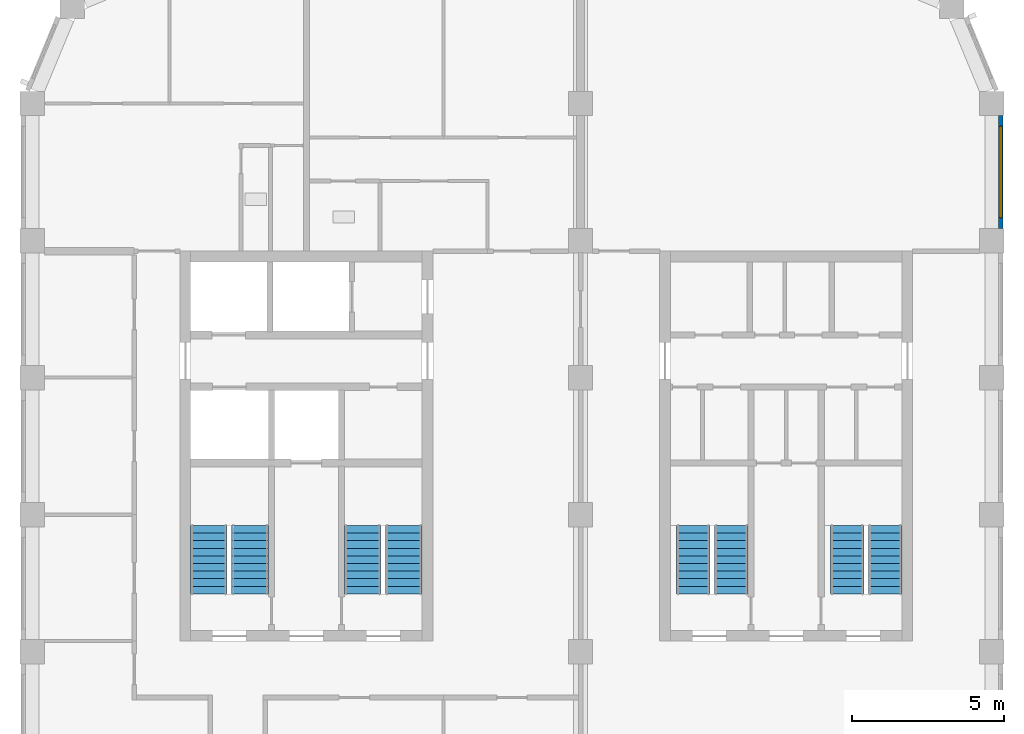
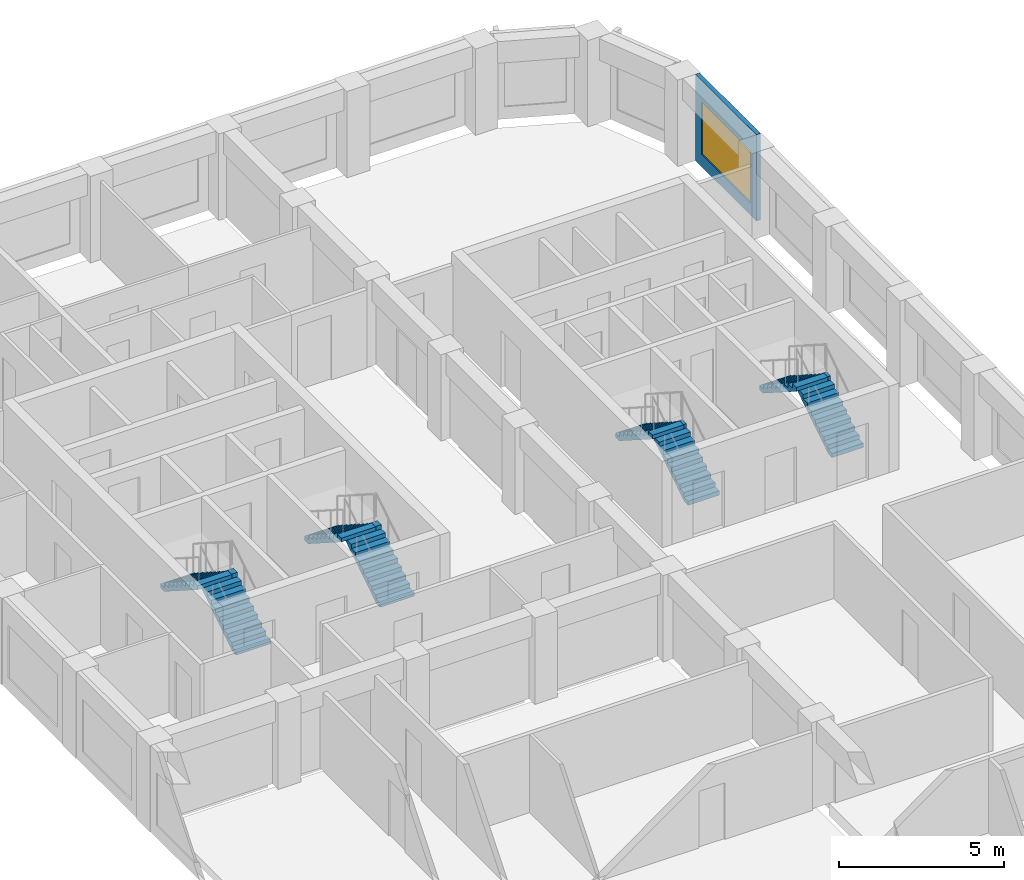
# One storey, part 8 of 10: 8 stair flights, 1 wall, 1 window, 1 opening, 4 elements without a shape of their own.
"""IFC4 building model written with IfcOpenShell, lengths in metres."""

from ifc_helpers import new_model, si_unit, direction, frame, frame_2d, origin, place, context, subcontext, project, spatial, polyline, rectangle, outline, extrude, material, layer, layer_set, type_object, element, fill, aggregate, save


model = new_model("IFC4")

# Units and contexts
model_context = context("Model", 3, precision=1e-05, world=origin(), true_north=direction((0.0, 1.0)))
body_context = subcontext(model_context, "Body", "Model", "MODEL_VIEW")
ifc_project = project(units=[si_unit("LENGTHUNIT", "METRE"), si_unit("AREAUNIT", "SQUARE_METRE"), si_unit("VOLUMEUNIT", "CUBIC_METRE"), si_unit("PLANEANGLEUNIT", "RADIAN"), si_unit("MASSUNIT", "GRAM", prefix="KILO")], contexts=[model_context])

# Site, building, storey
site_placement = place(None, origin())
site = spatial("IfcSite", under=ifc_project, at=site_placement, CompositionType="ELEMENT")
building_placement = place(site_placement, origin())
building = spatial("IfcBuilding", under=site, at=building_placement, Name="Girih Gate Residences", CompositionType="ELEMENT")
storey_placement = place(building_placement, frame((0.0, 0.0, 229.294921875)))
storey = spatial("IfcBuildingStorey", under=building, at=storey_placement, Name="L64", CompositionType="ELEMENT", Elevation=229.294921875)

# Wall, opening, window
ifc_material_1 = material(Name="Precast concrete C50/60", Category="concrete")
ifc_layer_1 = layer(ifc_material_1, 0.050048828125, Name="Outer leaf")
ifc_material_2 = material(Name="Rigid PIR insulation")
ifc_layer_2 = layer(ifc_material_2, 0.06005859375, Name="Insulation")
ifc_material_3 = material(Name="Precast concrete C40/50", Category="concrete")
ifc_layer_3 = layer(ifc_material_3, 0.0400390625, Name="Inner leaf")
ifc_layer_set = layer_set([ifc_layer_1, ifc_layer_2, ifc_layer_3], Name="Precast concrete C50/60 external wall 150")
wall_type = type_object("IfcWallType", Name="Precast concrete C50/60 external wall 150", PredefinedType="SOLIDWALL", material=ifc_layer_set)
wall_placement = place(storey_placement, frame((31.800048828125, 44.60009765625, 0.0), z_axis=(0.0, 0.0, 1.0), x_axis=(0.0, -1.0, 0.0)))
wall = element("IfcWall", 1, at=wall_placement, inside=storey, type_object=wall_type, Name="External wall E0315_0045.8", PredefinedType="SOLIDWALL", context=body_context, shape_type="SweptSolid", body=[
    extrude(rectangle(XDim=3.7001953125, YDim=0.14990234375, at=frame_2d((1.85009765625, 0.0))), origin(), (0.0, 0.0, 1.0), 3.2001953125),
])
opening_placement = place(wall_placement, frame((0.35009765625, 0.0, 0.449951171875)))
opening = element("IfcOpeningElement", 2, at=opening_placement, cuts=wall, Name="Opening W-1D", PredefinedType="OPENING", context=body_context, shape_type="SweptSolid", body=[
    extrude(rectangle(XDim=3.0, YDim=1.949951171875, at=frame_2d((1.5, 0.97509765625))), frame((0.0, 0.0849609375, 0.0), z_axis=(0.0, -1.0, 0.0), x_axis=(1.0, 0.0, 0.0)), (0.0, 0.0, 1.0), 0.169921875),
])
ifc_material_4 = material(Name="Double glazing in aluminium frame", Category="aluminium")
window_type = type_object("IfcWindowType", Name="Window W-1D 3000x1950", PartitioningType="SINGLE_PANEL", PredefinedType="WINDOW", material=ifc_material_4)
window_placement = place(opening_placement, origin())
window = element("IfcWindow", 3, at=window_placement, inside=storey, type_object=window_type, Name="Window W-1D E0315_0045.8", OverallHeight=1.949951171875, OverallWidth=3.0, PartitioningType="SINGLE_PANEL", PredefinedType="WINDOW", context=body_context, shape_type="SweptSolid", body=[
    extrude(rectangle(XDim=3.0, YDim=1.949951171875, at=frame_2d((1.5, 0.97509765625))), frame((0.0, 0.030029296875, 0.0), z_axis=(0.0, -1.0, 0.0), x_axis=(1.0, 0.0, 0.0)), (0.0, 0.0, 1.0), 0.06005859375),
])
fill(opening, window)

# Stair, stair flights
ifc_material_5 = material(Name="Concrete C40/50", Category="concrete")
stair_type_1 = type_object("IfcStairType", Name="Exit stair C core", PredefinedType="HALF_TURN_STAIR", material=ifc_material_5)
stair_1_placement = place(storey_placement, origin())
stair_1 = element("IfcStair", 4, at=stair_1_placement, inside=storey, type_object=stair_type_1, Name="L64 Exit Stair ST-C1", PredefinedType="HALF_TURN_STAIR")
stair_flight_type_1 = type_object("IfcStairFlightType", Name="Stair flight 1100", PredefinedType="STRAIGHT", material=ifc_material_5)
stair_flight_1_placement = place(storey_placement, frame((22.949951171875, 28.89990234375, 0.0), z_axis=(0.0, 0.0, 1.0), x_axis=(0.0, 1.0, 0.0)))
stair_flight_1 = element("IfcStairFlight", 5, at=stair_flight_1_placement, type_object=stair_flight_type_1, Name="ST-C1 flight 1", NumberOfRisers=10, NumberOfTreads=9, PredefinedType="STRAIGHT", RiserHeight=0.16, TreadLength=0.25, context=body_context, shape_type="SweptSolid", body=[
    extrude(outline(polyline([(0.0, 0.0), (0.0, 0.159912109375), (0.25, 0.159912109375), (0.25, 0.320068359375), (0.5, 0.320068359375), (0.5, 0.47998046875), (0.75, 0.47998046875), (0.75, 0.639892578125), (1.0, 0.639892578125), (1.0, 0.800048828125), (1.25, 0.800048828125), (1.25, 0.9599609375), (1.5, 0.9599609375), (1.5, 1.1201171875), (1.75, 1.1201171875), (1.75, 1.280029296875), (2.0, 1.280029296875), (2.0, 1.43994140625), (2.25, 1.43994140625), (2.25, 1.60009765625), (2.25, 1.29736328125), (0.222900390625, 0.0), (0.0, 0.0)])), frame((0.0, 0.550048828125, 0.0), z_axis=(0.0, -1.0, 0.0), x_axis=(1.0, 0.0, 0.0)), (0.0, 0.0, 1.0), 1.10009765625),
])
stair_flight_2_placement = place(storey_placement, frame((21.699951171875, 31.14990234375, 1.60009765625), z_axis=(0.0, 0.0, 1.0), x_axis=(0.0, -1.0, 0.0)))
stair_flight_2 = element("IfcStairFlight", 6, at=stair_flight_2_placement, type_object=stair_flight_type_1, Name="ST-C1 flight 2", NumberOfRisers=10, NumberOfTreads=9, PredefinedType="STRAIGHT", RiserHeight=0.16, TreadLength=0.25, context=body_context, shape_type="SweptSolid", body=[
    extrude(outline(polyline([(0.0, 0.0), (0.0, 0.159912109375), (0.25, 0.159912109375), (0.25, 0.320068359375), (0.5, 0.320068359375), (0.5, 0.47998046875), (0.75, 0.47998046875), (0.75, 0.639892578125), (1.0, 0.639892578125), (1.0, 0.800048828125), (1.25, 0.800048828125), (1.25, 0.9599609375), (1.5, 0.9599609375), (1.5, 1.1201171875), (1.75, 1.1201171875), (1.75, 1.280029296875), (2.0, 1.280029296875), (2.0, 1.43994140625), (2.25, 1.43994140625), (2.25, 1.60009765625), (2.25, 1.29736328125), (0.222900390625, 0.0), (0.0, 0.0)])), frame((0.0, 0.550048828125, 0.0), z_axis=(0.0, -1.0, 0.0), x_axis=(1.0, 0.0, 0.0)), (0.0, 0.0, 1.0), 1.10009765625),
])
aggregate(stair_1, [stair_flight_1, stair_flight_2])

stair_2_placement = place(storey_placement, origin())
stair_2 = element("IfcStair", 7, at=stair_2_placement, inside=storey, type_object=stair_type_1, Name="L64 Exit Stair ST-C2", PredefinedType="HALF_TURN_STAIR")
stair_flight_3_placement = place(storey_placement, frame((28.0, 28.89990234375, 0.0), z_axis=(0.0, 0.0, 1.0), x_axis=(0.0, 1.0, 0.0)))
stair_flight_3 = element("IfcStairFlight", 8, at=stair_flight_3_placement, type_object=stair_flight_type_1, Name="ST-C2 flight 1", NumberOfRisers=10, NumberOfTreads=9, PredefinedType="STRAIGHT", RiserHeight=0.16, TreadLength=0.25, context=body_context, shape_type="SweptSolid", body=[
    extrude(outline(polyline([(0.0, 0.0), (0.0, 0.159912109375), (0.25, 0.159912109375), (0.25, 0.320068359375), (0.5, 0.320068359375), (0.5, 0.47998046875), (0.75, 0.47998046875), (0.75, 0.639892578125), (1.0, 0.639892578125), (1.0, 0.800048828125), (1.25, 0.800048828125), (1.25, 0.9599609375), (1.5, 0.9599609375), (1.5, 1.1201171875), (1.75, 1.1201171875), (1.75, 1.280029296875), (2.0, 1.280029296875), (2.0, 1.43994140625), (2.25, 1.43994140625), (2.25, 1.60009765625), (2.25, 1.29736328125), (0.222900390625, 0.0), (0.0, 0.0)])), frame((0.0, 0.550048828125, 0.0), z_axis=(0.0, -1.0, 0.0), x_axis=(1.0, 0.0, 0.0)), (0.0, 0.0, 1.0), 1.10009765625),
])
stair_flight_4_placement = place(storey_placement, frame((26.75, 31.14990234375, 1.60009765625), z_axis=(0.0, 0.0, 1.0), x_axis=(0.0, -1.0, 0.0)))
stair_flight_4 = element("IfcStairFlight", 9, at=stair_flight_4_placement, type_object=stair_flight_type_1, Name="ST-C2 flight 2", NumberOfRisers=10, NumberOfTreads=9, PredefinedType="STRAIGHT", RiserHeight=0.16, TreadLength=0.25, context=body_context, shape_type="SweptSolid", body=[
    extrude(outline(polyline([(0.0, 0.0), (0.0, 0.159912109375), (0.25, 0.159912109375), (0.25, 0.320068359375), (0.5, 0.320068359375), (0.5, 0.47998046875), (0.75, 0.47998046875), (0.75, 0.639892578125), (1.0, 0.639892578125), (1.0, 0.800048828125), (1.25, 0.800048828125), (1.25, 0.9599609375), (1.5, 0.9599609375), (1.5, 1.1201171875), (1.75, 1.1201171875), (1.75, 1.280029296875), (2.0, 1.280029296875), (2.0, 1.43994140625), (2.25, 1.43994140625), (2.25, 1.60009765625), (2.25, 1.29736328125), (0.222900390625, 0.0), (0.0, 0.0)])), frame((0.0, 0.550048828125, 0.0), z_axis=(0.0, -1.0, 0.0), x_axis=(1.0, 0.0, 0.0)), (0.0, 0.0, 1.0), 1.10009765625),
])
aggregate(stair_2, [stair_flight_3, stair_flight_4])

stair_type_2 = type_object("IfcStairType", Name="Exit stair", PredefinedType="HALF_TURN_STAIR", material=ifc_material_5)
stair_3_placement = place(storey_placement, origin())
stair_3 = element("IfcStair", 10, at=stair_3_placement, inside=storey, type_object=stair_type_2, Name="L64 Exit Stair ST-W1", PredefinedType="HALF_TURN_STAIR")
stair_flight_type_2 = type_object("IfcStairFlightType", Name="Stair flight 1200", PredefinedType="STRAIGHT", material=ifc_material_5)
stair_flight_5_placement = place(storey_placement, frame((7.14990234375, 28.89990234375, 0.0), z_axis=(0.0, 0.0, 1.0), x_axis=(0.0, 1.0, 0.0)))
stair_flight_5 = element("IfcStairFlight", 11, at=stair_flight_5_placement, type_object=stair_flight_type_2, Name="ST-W1 flight 1", NumberOfRisers=10, NumberOfTreads=9, PredefinedType="STRAIGHT", RiserHeight=0.16, TreadLength=0.25, context=body_context, shape_type="SweptSolid", body=[
    extrude(outline(polyline([(0.0, 0.0), (0.0, 0.159912109375), (0.25, 0.159912109375), (0.25, 0.320068359375), (0.5, 0.320068359375), (0.5, 0.47998046875), (0.75, 0.47998046875), (0.75, 0.639892578125), (1.0, 0.639892578125), (1.0, 0.800048828125), (1.25, 0.800048828125), (1.25, 0.9599609375), (1.5, 0.9599609375), (1.5, 1.1201171875), (1.75, 1.1201171875), (1.75, 1.280029296875), (2.0, 1.280029296875), (2.0, 1.43994140625), (2.25, 1.43994140625), (2.25, 1.60009765625), (2.25, 1.29736328125), (0.222900390625, 0.0), (0.0, 0.0)])), frame((0.0, 0.60009765625, 0.0), z_axis=(0.0, -1.0, 0.0), x_axis=(1.0, 0.0, 0.0)), (0.0, 0.0, 1.0), 1.199951171875),
])
stair_flight_6_placement = place(storey_placement, frame((5.800048828125, 31.14990234375, 1.60009765625), z_axis=(0.0, 0.0, 1.0), x_axis=(0.0, -1.0, 0.0)))
stair_flight_6 = element("IfcStairFlight", 12, at=stair_flight_6_placement, type_object=stair_flight_type_2, Name="ST-W1 flight 2", NumberOfRisers=10, NumberOfTreads=9, PredefinedType="STRAIGHT", RiserHeight=0.16, TreadLength=0.25, context=body_context, shape_type="SweptSolid", body=[
    extrude(outline(polyline([(0.0, 0.0), (0.0, 0.159912109375), (0.25, 0.159912109375), (0.25, 0.320068359375), (0.5, 0.320068359375), (0.5, 0.47998046875), (0.75, 0.47998046875), (0.75, 0.639892578125), (1.0, 0.639892578125), (1.0, 0.800048828125), (1.25, 0.800048828125), (1.25, 0.9599609375), (1.5, 0.9599609375), (1.5, 1.1201171875), (1.75, 1.1201171875), (1.75, 1.280029296875), (2.0, 1.280029296875), (2.0, 1.43994140625), (2.25, 1.43994140625), (2.25, 1.60009765625), (2.25, 1.29736328125), (0.222900390625, 0.0), (0.0, 0.0)])), frame((0.0, 0.60009765625, 0.0), z_axis=(0.0, -1.0, 0.0), x_axis=(1.0, 0.0, 0.0)), (0.0, 0.0, 1.0), 1.199951171875),
])
aggregate(stair_3, [stair_flight_5, stair_flight_6])

stair_4_placement = place(storey_placement, origin())
stair_4 = element("IfcStair", 13, at=stair_4_placement, inside=storey, type_object=stair_type_2, Name="L64 Exit Stair ST-W2", PredefinedType="HALF_TURN_STAIR")
stair_flight_7_placement = place(storey_placement, frame((12.199951171875, 28.89990234375, 0.0), z_axis=(0.0, 0.0, 1.0), x_axis=(0.0, 1.0, 0.0)))
stair_flight_7 = element("IfcStairFlight", 14, at=stair_flight_7_placement, type_object=stair_flight_type_2, Name="ST-W2 flight 1", NumberOfRisers=10, NumberOfTreads=9, PredefinedType="STRAIGHT", RiserHeight=0.16, TreadLength=0.25, context=body_context, shape_type="SweptSolid", body=[
    extrude(outline(polyline([(0.0, 0.0), (0.0, 0.159912109375), (0.25, 0.159912109375), (0.25, 0.320068359375), (0.5, 0.320068359375), (0.5, 0.47998046875), (0.75, 0.47998046875), (0.75, 0.639892578125), (1.0, 0.639892578125), (1.0, 0.800048828125), (1.25, 0.800048828125), (1.25, 0.9599609375), (1.5, 0.9599609375), (1.5, 1.1201171875), (1.75, 1.1201171875), (1.75, 1.280029296875), (2.0, 1.280029296875), (2.0, 1.43994140625), (2.25, 1.43994140625), (2.25, 1.60009765625), (2.25, 1.29736328125), (0.222900390625, 0.0), (0.0, 0.0)])), frame((0.0, 0.60009765625, 0.0), z_axis=(0.0, -1.0, 0.0), x_axis=(1.0, 0.0, 0.0)), (0.0, 0.0, 1.0), 1.199951171875),
])
stair_flight_8_placement = place(storey_placement, frame((10.85009765625, 31.14990234375, 1.60009765625), z_axis=(0.0, 0.0, 1.0), x_axis=(0.0, -1.0, 0.0)))
stair_flight_8 = element("IfcStairFlight", 15, at=stair_flight_8_placement, type_object=stair_flight_type_2, Name="ST-W2 flight 2", NumberOfRisers=10, NumberOfTreads=9, PredefinedType="STRAIGHT", RiserHeight=0.16, TreadLength=0.25, context=body_context, shape_type="SweptSolid", body=[
    extrude(outline(polyline([(0.0, 0.0), (0.0, 0.159912109375), (0.25, 0.159912109375), (0.25, 0.320068359375), (0.5, 0.320068359375), (0.5, 0.47998046875), (0.75, 0.47998046875), (0.75, 0.639892578125), (1.0, 0.639892578125), (1.0, 0.800048828125), (1.25, 0.800048828125), (1.25, 0.9599609375), (1.5, 0.9599609375), (1.5, 1.1201171875), (1.75, 1.1201171875), (1.75, 1.280029296875), (2.0, 1.280029296875), (2.0, 1.43994140625), (2.25, 1.43994140625), (2.25, 1.60009765625), (2.25, 1.29736328125), (0.222900390625, 0.0), (0.0, 0.0)])), frame((0.0, 0.60009765625, 0.0), z_axis=(0.0, -1.0, 0.0), x_axis=(1.0, 0.0, 0.0)), (0.0, 0.0, 1.0), 1.199951171875),
])
aggregate(stair_4, [stair_flight_7, stair_flight_8])

save(model, "model.ifc")
